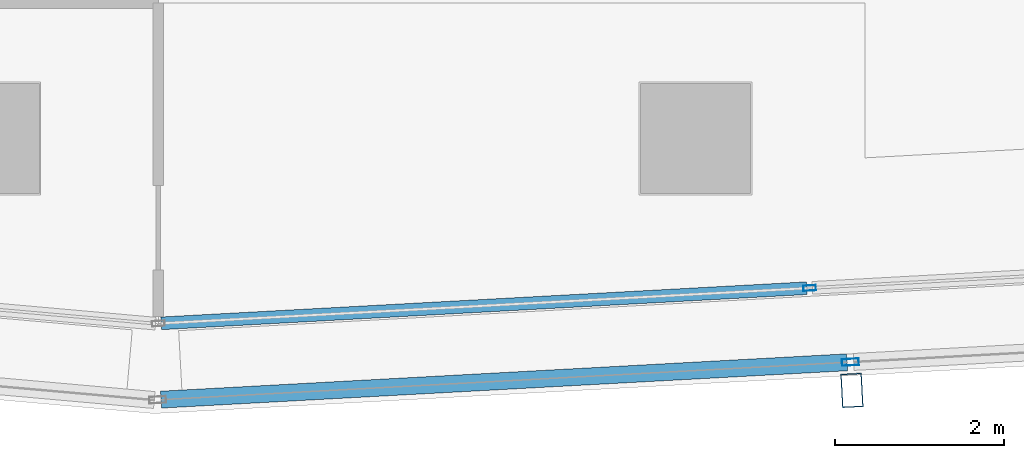
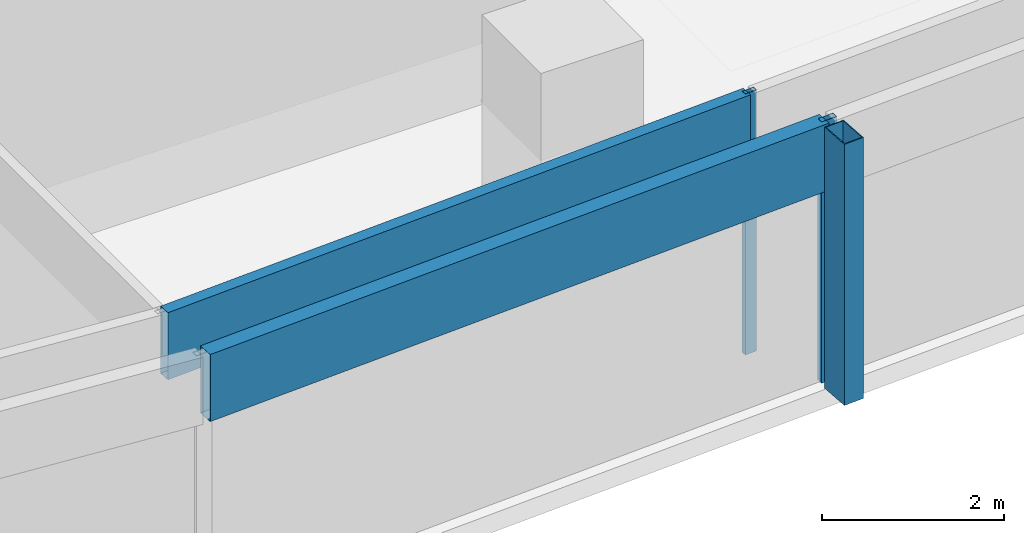
# One storey, part 6 of 29: 5 members, 2 elements without a shape of their own.
"""IFC4 building model written with IfcOpenShell, lengths in metres."""

from ifc_helpers import new_model, si_unit, direction, frame, origin, origin_2d, place, context, subcontext, project, spatial, hollow_rectangle, extrude, material, material_profile, profile_set, type_object, element, aggregate, save


model = new_model("IFC4")

# Units and contexts
model_context = context("Model", 3, precision=1e-05, world=origin(), true_north=direction((0.0, 1.0)))
body_context = subcontext(model_context, "Body", "Model", "MODEL_VIEW")
ifc_project = project(units=[si_unit("LENGTHUNIT", "METRE"), si_unit("AREAUNIT", "SQUARE_METRE"), si_unit("VOLUMEUNIT", "CUBIC_METRE"), si_unit("PLANEANGLEUNIT", "RADIAN"), si_unit("MASSUNIT", "GRAM", prefix="KILO")], contexts=[model_context])

# Site, building, storey
site_placement = place(None, origin())
site = spatial("IfcSite", under=ifc_project, at=site_placement, CompositionType="ELEMENT")
building_placement = place(site_placement, origin())
building = spatial("IfcBuilding", under=site, at=building_placement, Name="Rekha Terrace Tower", CompositionType="ELEMENT")
storey_placement = place(building_placement, frame((0.0, 0.0, 261.35009765625)))
storey = spatial("IfcBuildingStorey", under=building, at=storey_placement, Name="L66", CompositionType="ELEMENT", Elevation=261.35009765625)

# Curtain wall, member
ifc_material_1 = material(Name="Aluminium framing", Category="aluminium")
curtain_wall_type_1 = type_object("IfcCurtainWallType", Name="CW2 double skin outer glazing", PredefinedType="USERDEFINED", material=ifc_material_1)
curtain_wall_1_placement = place(storey_placement, origin())
curtain_wall_1 = element("IfcCurtainWall", 1, at=curtain_wall_1_placement, inside=storey, type_object=curtain_wall_type_1, Name="CW2 double skin outer glazing", ObjectType="DOUBLE SKIN OUTER GLAZING", PredefinedType="USERDEFINED")
ifc_material_2 = material(Name="Steel S355 with fluorocarbon finish", Category="steel")
ifc_material_profile_1 = material_profile(ifc_material_2, hollow_rectangle(XDim=0.25, YDim=0.39990234375, WallThickness=0.012451171875, at=origin_2d()), Name="RHS400x250x12.5")
ifc_profile_set_1 = profile_set([ifc_material_profile_1], Name="Steel S355 with fluorocarbon finish")
member_type_1 = type_object("IfcMemberType", Name="BL1 facade blade RHS 400 x 250", PredefinedType="USERDEFINED", material=ifc_profile_set_1)
member_1_placement = place(storey_placement, frame((35.4482421875, 13.82373046875, 0.0), z_axis=(0.0, 0.0, 1.0), x_axis=(0.99851982155, 0.054389024366, 0.0)))
member_1 = element("IfcMember", 2, at=member_1_placement, type_object=member_type_1, Name="Facade blade", ObjectType="FACADE BLADE", PredefinedType="USERDEFINED", context=body_context, shape_type="SweptSolid", body=[
    extrude(hollow_rectangle(XDim=0.25, YDim=0.39990234375, WallThickness=0.012451171875, at=origin_2d()), origin(), (0.0, 0.0, 1.0), 3.5),
])

# Curtain wall, members
curtain_wall_type_2 = type_object("IfcCurtainWallType", Name="CW1 double skin inner glazing", PredefinedType="USERDEFINED", material=ifc_material_1)
curtain_wall_2_placement = place(storey_placement, origin())
curtain_wall_2 = element("IfcCurtainWall", 3, at=curtain_wall_2_placement, inside=storey, type_object=curtain_wall_type_2, Name="CW1 double skin inner glazing", ObjectType="DOUBLE SKIN INNER GLAZING", PredefinedType="USERDEFINED")
ifc_material_3 = material(Name="Aluminium mullion section", Category="aluminium")
ifc_material_profile_2 = material_profile(ifc_material_3, hollow_rectangle(XDim=0.06494140625, YDim=0.14990234375, WallThickness=0.00390625, at=origin_2d()), Name="AL RHS 65x150")
ifc_profile_set_2 = profile_set([ifc_material_profile_2], Name="Aluminium mullion section")
member_type_2 = type_object("IfcMemberType", Name="CW1 mullion RHS 65 x 150", PredefinedType="MULLION", material=ifc_profile_set_2)
member_2_placement = place(storey_placement, frame((34.94775390625, 15.033447265625, 0.0), z_axis=(0.0, 0.0, 1.0), x_axis=(-0.054388903036, 0.998519828159, 0.0)))
member_2 = element("IfcMember", 4, at=member_2_placement, type_object=member_type_2, Name="CW1 mullion 2", PredefinedType="MULLION", context=body_context, shape_type="SweptSolid", body=[
    extrude(hollow_rectangle(XDim=0.06494140625, YDim=0.14990234375, WallThickness=0.00390625, at=origin_2d()), origin(), (0.0, 0.0, 1.0), 3.5),
])
ifc_material_4 = material(Name="Insulated aluminium spandrel box", Category="aluminium")
ifc_material_profile_3 = material_profile(ifc_material_4, hollow_rectangle(XDim=0.14990234375, YDim=0.89990234375, WallThickness=0.0029296875, at=origin_2d()), Name="AL SPANDREL BOX 150x900")
ifc_profile_set_3 = profile_set([ifc_material_profile_3], Name="Insulated aluminium spandrel box")
member_type_3 = type_object("IfcMemberType", Name="CW1 spandrel transom 150 x 900", PredefinedType="USERDEFINED", material=ifc_profile_set_3)
member_3_placement = place(storey_placement, frame((27.287109375, 14.6162109375, 3.0498046875), z_axis=(0.998521390426, 0.054360213958, 0.0), x_axis=(-0.054360213958, 0.998521390426, 0.0)))
member_3 = element("IfcMember", 5, at=member_3_placement, type_object=member_type_3, Name="CW1 spandrel transom 1", ObjectType="TRANSOM", PredefinedType="USERDEFINED", context=body_context, shape_type="SweptSolid", body=[
    extrude(hollow_rectangle(XDim=0.14990234375, YDim=0.89990234375, WallThickness=0.0029296875, at=origin_2d()), origin(), (0.0, 0.0, 1.0), 7.639404296875),
])
aggregate(curtain_wall_2, [member_2, member_3])

# Member
ifc_material_profile_4 = material_profile(ifc_material_3, hollow_rectangle(XDim=0.080078125, YDim=0.199951171875, WallThickness=0.00390625, at=origin_2d()), Name="AL RHS 80x200")
ifc_profile_set_4 = profile_set([ifc_material_profile_4], Name="Aluminium mullion section")
member_type_4 = type_object("IfcMemberType", Name="CW2 mullion RHS 80 x 200", PredefinedType="MULLION", material=ifc_profile_set_4)
member_4_placement = place(storey_placement, frame((35.429931640625, 14.158203125, 0.0), z_axis=(0.0, 0.0, 1.0), x_axis=(-0.054388903071, 0.998519828157, 0.0)))
member_4 = element("IfcMember", 6, at=member_4_placement, type_object=member_type_4, Name="CW2 mullion 2", PredefinedType="MULLION", context=body_context, shape_type="SweptSolid", body=[
    extrude(hollow_rectangle(XDim=0.080078125, YDim=0.199951171875, WallThickness=0.00390625, at=origin_2d()), origin(), (0.0, 0.0, 1.0), 3.5),
])

ifc_material_profile_5 = material_profile(ifc_material_4, hollow_rectangle(XDim=0.199951171875, YDim=0.89990234375, WallThickness=0.0029296875, at=origin_2d()), Name="AL SPANDREL BOX 200x900")
ifc_profile_set_5 = profile_set([ifc_material_profile_5], Name="Insulated aluminium spandrel box")
member_type_5 = type_object("IfcMemberType", Name="CW2 spandrel transom 200 x 900", PredefinedType="USERDEFINED", material=ifc_profile_set_5)
member_5_placement = place(storey_placement, frame((27.28662109375, 13.71484375, 3.0498046875), z_axis=(0.998521383998, 0.054360332034, 0.0), x_axis=(-0.054360332034, 0.998521383998, 0.0)))
member_5 = element("IfcMember", 7, at=member_5_placement, type_object=member_type_5, Name="CW2 spandrel transom 1", ObjectType="TRANSOM", PredefinedType="USERDEFINED", context=body_context, shape_type="SweptSolid", body=[
    extrude(hollow_rectangle(XDim=0.199951171875, YDim=0.89990234375, WallThickness=0.0029296875, at=origin_2d()), origin(), (0.0, 0.0, 1.0), 8.115478515625),
])

aggregate(curtain_wall_1, [member_4, member_5, member_1])

save(model, "model.ifc")
